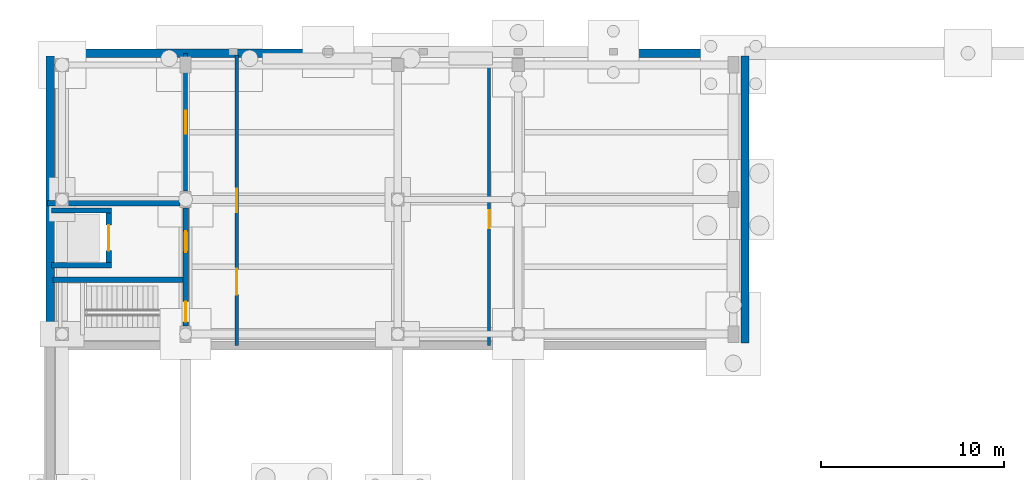
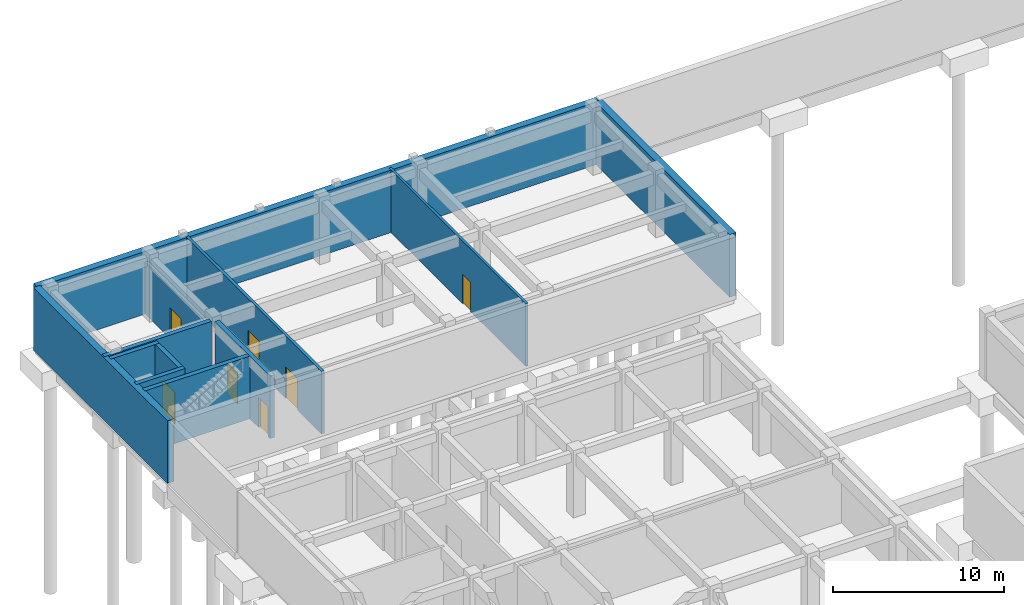
# One storey, part 22 of 35: 12 walls, 7 doors, 7 openings.
"""IFC4 building model written with IfcOpenShell, lengths in metres."""

from ifc_helpers import new_model, si_unit, direction, frame, frame_2d, origin, place, context, subcontext, project, spatial, rectangle, extrude, material, layer, layer_set, type_object, element, fill, save


model = new_model("IFC4")

# Units and contexts
model_context = context("Model", 3, precision=1e-05, world=origin(), true_north=direction((0.0, 1.0)))
body_context = subcontext(model_context, "Body", "Model", "MODEL_VIEW")
ifc_project = project(units=[si_unit("LENGTHUNIT", "METRE"), si_unit("AREAUNIT", "SQUARE_METRE"), si_unit("VOLUMEUNIT", "CUBIC_METRE"), si_unit("PLANEANGLEUNIT", "RADIAN"), si_unit("MASSUNIT", "GRAM", prefix="KILO")], contexts=[model_context])

# Site, building, storey
site_placement = place(None, origin())
site = spatial("IfcSite", under=ifc_project, at=site_placement, CompositionType="ELEMENT")
building_placement = place(site_placement, origin())
building = spatial("IfcBuilding", under=site, at=building_placement, Name="Cinchona Park Media Centre", CompositionType="ELEMENT")
storey_placement = place(building_placement, frame((0.0, 0.0, -4.800048828125)))
storey = spatial("IfcBuildingStorey", under=building, at=storey_placement, Name="B1", CompositionType="ELEMENT", Elevation=-4.800048828125)

# Wall, opening, door
ifc_material_1 = material(Name="Acoustic Double-Stud Gypsum Partition", Category="gypsum")
ifc_layer_1 = layer(ifc_material_1, 0.2099609375)
ifc_layer_set_1 = layer_set([ifc_layer_1], Name="Acoustic Double-Stud Gypsum Partition")
wall_type_1 = type_object("IfcWallType", Name="WALL-W-AC210", PredefinedType="PARTITIONING", material=ifc_layer_set_1)
wall_1_placement = place(storey_placement, frame((15.39990234375, 110.451904296875, 0.0), z_axis=(0.0, 0.0, 1.0), x_axis=(0.0, 1.0, 0.0)))
wall_1 = element("IfcWall", 1, at=wall_1_placement, inside=storey, type_object=wall_type_1, Name="Interior Wall W-AC210 B1", PredefinedType="PARTITIONING", context=body_context, shape_type="SweptSolid", body=[
    extrude(rectangle(XDim=7.548095703125, YDim=0.2099609375, at=frame_2d((3.77392578125, 0.0))), origin(), (0.0, 0.0, 1.0), 3.72509765625),
])
opening_1_placement = place(wall_1_placement, frame((3.14404296875, 0.0, 0.0)))
opening_1 = element("IfcOpeningElement", 2, at=opening_1_placement, cuts=wall_1, Name="Opening D151", PredefinedType="OPENING", context=body_context, shape_type="SweptSolid", body=[
    extrude(rectangle(XDim=1.260009765625, YDim=2.199951171875, at=frame_2d((0.6298828125, 1.10009765625))), frame((0.0, 0.114990234375, 0.0), z_axis=(0.0, -1.0, 0.0), x_axis=(1.0, 0.0, 0.0)), (0.0, 0.0, 1.0), 0.22998046875),
])
ifc_material_2 = material(Name="Fire-Rated Acoustic Timber-Steel Door", Category="steel")
door_type_1 = type_object("IfcDoorType", Name="DOOR-DT11", OperationType="NOTDEFINED", PredefinedType="DOOR", material=ifc_material_2)
door_1_placement = place(opening_1_placement, origin())
door_1 = element("IfcDoor", 3, at=door_1_placement, inside=storey, type_object=door_type_1, Name="Interior Door D151", OperationType="SINGLE_SWING_LEFT", OverallHeight=2.199951171875, OverallWidth=1.260009765625, PredefinedType="DOOR", context=body_context, shape_type="SweptSolid", body=[
    extrude(rectangle(XDim=1.260009765625, YDim=2.199951171875, at=frame_2d((0.6298828125, 1.10009765625))), frame((0.0, 0.02490234375, 0.0), z_axis=(0.0, -1.0, 0.0), x_axis=(1.0, 0.0, 0.0)), (0.0, 0.0, 1.0), 0.050048828125),
])
fill(opening_1, door_1)

# Wall
ifc_material_3 = material(Name="Concrete C40/50", Category="concrete")
ifc_layer_2 = layer(ifc_material_3, 0.300048828125)
ifc_layer_set_2 = layer_set([ifc_layer_2], Name="Concrete C40/50")
wall_type_2 = type_object("IfcWallType", Name="WALL-W-CR300", PredefinedType="SHEAR", material=ifc_layer_set_2)
wall_2_placement = place(storey_placement, frame((7.85009765625, 109.800048828125, 0.0), z_axis=(0.0, 0.0, 1.0), x_axis=(1.0, 0.0, 0.0)))
element("IfcWall", 4, at=wall_2_placement, inside=storey, type_object=wall_type_2, Name="Core Shear Wall W-CR300 B1", PredefinedType="SHEAR", context=body_context, shape_type="SweptSolid", body=[
    extrude(rectangle(XDim=7.247802734375, YDim=0.300048828125, at=frame_2d((3.6240234375, 0.0))), origin(), (0.0, 0.0, 1.0), 4.47509765625),
])

# Wall, openings, doors
wall_3_placement = place(storey_placement, frame((15.39990234375, 103.092041015625, 0.0), z_axis=(0.0, 0.0, 1.0), x_axis=(0.0, 1.0, 0.0)))
wall_3 = element("IfcWall", 5, at=wall_3_placement, inside=storey, type_object=wall_type_2, Name="Core Shear Wall W-CR300 B1", PredefinedType="SHEAR", context=body_context, shape_type="SweptSolid", body=[
    extrude(rectangle(XDim=6.4560546875, YDim=0.300048828125, at=frame_2d((3.22802734375, 0.0))), origin(), (0.0, 0.0, 1.0), 4.47509765625),
])
opening_2_placement = place(wall_3_placement, frame((0.219970703125, 0.0, 0.0)))
opening_2 = element("IfcOpeningElement", 6, at=opening_2_placement, cuts=wall_3, Name="Opening D034", PredefinedType="OPENING", context=body_context, shape_type="SweptSolid", body=[
    extrude(rectangle(XDim=1.10009765625, YDim=2.14990234375, at=frame_2d((0.550048828125, 1.074951171875))), frame((0.0, 0.159912109375, 0.0), z_axis=(0.0, -1.0, 0.0), x_axis=(1.0, 0.0, 0.0)), (0.0, 0.0, 1.0), 0.320068359375),
])
opening_3_placement = place(wall_3_placement, frame((4.032958984375, 0.0, 0.0)))
opening_3 = element("IfcOpeningElement", 7, at=opening_3_placement, cuts=wall_3, Name="Opening D035", PredefinedType="OPENING", context=body_context, shape_type="SweptSolid", body=[
    extrude(rectangle(XDim=1.14990234375, YDim=2.199951171875, at=frame_2d((0.574951171875, 1.10009765625))), frame((0.0, 0.159912109375, 0.0), z_axis=(0.0, -1.0, 0.0), x_axis=(1.0, 0.0, 0.0)), (0.0, 0.0, 1.0), 0.320068359375),
])
ifc_material_4 = material(Name="Insulated Fire-Rated Steel Door", Category="steel")
door_type_2 = type_object("IfcDoorType", Name="DOOR-DT-FF", OperationType="NOTDEFINED", PredefinedType="DOOR", material=ifc_material_4)
door_2_placement = place(opening_3_placement, origin())
door_2 = element("IfcDoor", 8, at=door_2_placement, inside=storey, type_object=door_type_2, Name="Interior Door D035", OperationType="SINGLE_SWING_LEFT", OverallHeight=2.199951171875, OverallWidth=1.14990234375, PredefinedType="DOOR", context=body_context, shape_type="SweptSolid", body=[
    extrude(rectangle(XDim=1.14990234375, YDim=2.199951171875, at=frame_2d((0.574951171875, 1.10009765625))), frame((0.0, 0.02490234375, 0.0), z_axis=(0.0, -1.0, 0.0), x_axis=(1.0, 0.0, 0.0)), (0.0, 0.0, 1.0), 0.050048828125),
])
fill(opening_3, door_2)
ifc_material_5 = material(Name="Insulated Fire-Rated Steel Door", Category="steel")
door_type_3 = type_object("IfcDoorType", Name="DOOR-DT-ST", OperationType="NOTDEFINED", PredefinedType="DOOR", material=ifc_material_5)
door_3_placement = place(opening_2_placement, origin())
door_3 = element("IfcDoor", 9, at=door_3_placement, inside=storey, type_object=door_type_3, Name="Interior Door D034", OperationType="SINGLE_SWING_RIGHT", OverallHeight=2.14990234375, OverallWidth=1.10009765625, PredefinedType="DOOR", context=body_context, shape_type="SweptSolid", body=[
    extrude(rectangle(XDim=1.10009765625, YDim=2.14990234375, at=frame_2d((0.550048828125, 1.074951171875))), frame((0.0, 0.02490234375, 0.0), z_axis=(0.0, -1.0, 0.0), x_axis=(1.0, 0.0, 0.0)), (0.0, 0.0, 1.0), 0.050048828125),
])
fill(opening_2, door_3)

# Wall
wall_4_placement = place(storey_placement, frame((8.14990234375, 105.60009765625, 0.0), z_axis=(0.0, 0.0, 1.0), x_axis=(1.0, 0.0, 0.0)))
element("IfcWall", 10, at=wall_4_placement, inside=storey, type_object=wall_type_2, Name="Core Shear Wall W-CR300 B1", PredefinedType="SHEAR", context=body_context, shape_type="SweptSolid", body=[
    extrude(rectangle(XDim=7.10009765625, YDim=0.300048828125, at=frame_2d((3.550048828125, 0.0))), origin(), (0.0, 0.0, 1.0), 4.47509765625),
])

# Wall, opening, door
ifc_material_6 = material(Name="Fire-Rated Gypsum Stud Partition", Category="gypsum")
ifc_layer_3 = layer(ifc_material_6, 0.1650390625)
ifc_layer_set_3 = layer_set([ifc_layer_3], Name="Fire-Rated Gypsum Stud Partition")
wall_type_3 = type_object("IfcWallType", Name="WALL-W-PT165", PredefinedType="PARTITIONING", material=ifc_layer_set_3)
wall_5_placement = place(storey_placement, frame((32.0, 118.0, 0.0), z_axis=(0.0, 0.0, 1.0), x_axis=(0.0, -1.0, 0.0)))
wall_5 = element("IfcWall", 11, at=wall_5_placement, inside=storey, type_object=wall_type_3, Name="Interior Wall W-PT165 B1", PredefinedType="PARTITIONING", context=body_context, shape_type="SweptSolid", body=[
    extrude(rectangle(XDim=16.0, YDim=0.1650390625, at=frame_2d((8.0, 0.0))), origin(), (0.0, 0.0, 1.0), 4.47509765625),
])
opening_4_placement = place(wall_5_placement, frame((8.580078125, 0.0, 0.0)))
opening_4 = element("IfcOpeningElement", 12, at=opening_4_placement, cuts=wall_5, Name="Opening D180", PredefinedType="OPENING", context=body_context, shape_type="SweptSolid", body=[
    extrude(rectangle(XDim=0.97998046875, YDim=2.10009765625, at=frame_2d((0.489990234375, 1.050048828125))), frame((0.0, 0.092529296875, 0.0), z_axis=(0.0, -1.0, 0.0), x_axis=(1.0, 0.0, 0.0)), (0.0, 0.0, 1.0), 0.18505859375),
])
ifc_material_7 = material(Name="Fire-Rated Acoustic Timber-Steel Door", Category="steel")
door_type_4 = type_object("IfcDoorType", Name="DOOR-DT03", OperationType="NOTDEFINED", PredefinedType="DOOR", material=ifc_material_7)
door_4_placement = place(opening_4_placement, origin())
door_4 = element("IfcDoor", 13, at=door_4_placement, inside=storey, type_object=door_type_4, Name="Interior Door D180", OperationType="SINGLE_SWING_RIGHT", OverallHeight=2.10009765625, OverallWidth=0.97998046875, PredefinedType="DOOR", context=body_context, shape_type="SweptSolid", body=[
    extrude(rectangle(XDim=0.97998046875, YDim=2.10009765625, at=frame_2d((0.489990234375, 1.050048828125))), frame((0.0, 0.02490234375, 0.0), z_axis=(0.0, -1.0, 0.0), x_axis=(1.0, 0.0, 0.0)), (0.0, 0.0, 1.0), 0.050048828125),
])
fill(opening_4, door_4)

# Wall, openings, doors
ifc_material_8 = material(Name="Fire-Rated Gypsum Stud Partition", Category="gypsum")
ifc_layer_4 = layer(ifc_material_8, 0.18994140625)
ifc_layer_set_4 = layer_set([ifc_layer_4], Name="Fire-Rated Gypsum Stud Partition")
wall_type_4 = type_object("IfcWallType", Name="WALL-W-PT190", PredefinedType="PARTITIONING", material=ifc_layer_set_4)
wall_6_placement = place(storey_placement, frame((18.199951171875, 117.903076171875, 0.0), z_axis=(0.0, 0.0, 1.0), x_axis=(0.0, -1.0, 0.0)))
wall_6 = element("IfcWall", 14, at=wall_6_placement, inside=storey, type_object=wall_type_4, Name="Interior Wall W-PT190 B1", PredefinedType="PARTITIONING", context=body_context, shape_type="SweptSolid", body=[
    extrude(rectangle(XDim=15.903076171875, YDim=0.18994140625, at=frame_2d((7.95166015625, 0.0))), origin(), (0.0, 0.0, 1.0), 4.47509765625),
])
opening_5_placement = place(wall_6_placement, frame((7.302001953125, 0.0, 0.0)))
opening_5 = element("IfcOpeningElement", 15, at=opening_5_placement, cuts=wall_6, Name="Opening D152", PredefinedType="OPENING", context=body_context, shape_type="SweptSolid", body=[
    extrude(rectangle(XDim=1.300048828125, YDim=2.199951171875, at=frame_2d((0.64990234375, 1.10009765625))), frame((0.0, 0.10498046875, 0.0), z_axis=(0.0, -1.0, 0.0), x_axis=(1.0, 0.0, 0.0)), (0.0, 0.0, 1.0), 0.2099609375),
])
opening_6_placement = place(wall_6_placement, frame((11.7041015625, 0.0, 0.0)))
opening_6 = element("IfcOpeningElement", 16, at=opening_6_placement, cuts=wall_6, Name="Opening D153", PredefinedType="OPENING", context=body_context, shape_type="SweptSolid", body=[
    extrude(rectangle(XDim=1.39990234375, YDim=2.25, at=frame_2d((0.699951171875, 1.125))), frame((0.0, 0.10498046875, 0.0), z_axis=(0.0, -1.0, 0.0), x_axis=(1.0, 0.0, 0.0)), (0.0, 0.0, 1.0), 0.2099609375),
])
ifc_material_9 = material(Name="Acoustic Double-Seal Steel Door", Category="steel")
door_type_5 = type_object("IfcDoorType", Name="DOOR-DT-AC", OperationType="NOTDEFINED", PredefinedType="DOOR", material=ifc_material_9)
door_5_placement = place(opening_6_placement, origin())
door_5 = element("IfcDoor", 17, at=door_5_placement, inside=storey, type_object=door_type_5, Name="Interior Door D153", OperationType="SINGLE_SWING_LEFT", OverallHeight=2.25, OverallWidth=1.39990234375, PredefinedType="DOOR", context=body_context, shape_type="SweptSolid", body=[
    extrude(rectangle(XDim=1.39990234375, YDim=2.25, at=frame_2d((0.699951171875, 1.125))), frame((0.0, 0.02490234375, 0.0), z_axis=(0.0, -1.0, 0.0), x_axis=(1.0, 0.0, 0.0)), (0.0, 0.0, 1.0), 0.050048828125),
])
fill(opening_6, door_5)
ifc_material_10 = material(Name="Fire-Rated Acoustic Timber-Steel Door", Category="steel")
door_type_6 = type_object("IfcDoorType", Name="DOOR-DT12", OperationType="NOTDEFINED", PredefinedType="DOOR", material=ifc_material_10)
door_6_placement = place(opening_5_placement, origin())
door_6 = element("IfcDoor", 18, at=door_6_placement, inside=storey, type_object=door_type_6, Name="Interior Door D152", OperationType="SINGLE_SWING_RIGHT", OverallHeight=2.199951171875, OverallWidth=1.300048828125, PredefinedType="DOOR", context=body_context, shape_type="SweptSolid", body=[
    extrude(rectangle(XDim=1.300048828125, YDim=2.199951171875, at=frame_2d((0.64990234375, 1.10009765625))), frame((0.0, 0.02490234375, 0.0), z_axis=(0.0, -1.0, 0.0), x_axis=(1.0, 0.0, 0.0)), (0.0, 0.0, 1.0), 0.050048828125),
])
fill(opening_5, door_6)

# Walls
ifc_material_11 = material(Name="Concrete C40/50", Category="concrete")
ifc_layer_5 = layer(ifc_material_11, 0.449951171875)
ifc_layer_set_5 = layer_set([ifc_layer_5], Name="Concrete C40/50")
wall_type_5 = type_object("IfcWallType", Name="WALL-W-RT02", PredefinedType="USERDEFINED", material=ifc_layer_set_5)
wall_7_placement = place(storey_placement, frame((8.0, 118.0, 0.0), z_axis=(0.0, 0.0, 1.0), x_axis=(1.0, 0.0, 0.0)))
element("IfcWall", 19, at=wall_7_placement, inside=storey, type_object=wall_type_5, Name="Basement Retaining Wall W-RT02", ObjectType="RETAININGWALL", PredefinedType="USERDEFINED", context=body_context, shape_type="SweptSolid", body=[
    extrude(rectangle(XDim=38.0, YDim=0.449951171875, at=frame_2d((19.0, 0.0))), origin(), (0.0, 0.0, 1.0), 4.47509765625),
])
for number, where, z_axis, x_axis, name in (
    (20, (46.0, 117.860107421875, 0.0), (0.0, 0.0, 1.0), (0.0, -1.0, 0.0), "Basement Retaining Wall W-RT02"),
    (21, (8.0, 102.139892578125, 0.0), (0.0, 0.0, 1.0), (0.0, 1.0, 0.0), "Basement Retaining Wall W-RT02"),
):
    element("IfcWall", number, at=place(storey_placement, frame(where, z_axis=z_axis, x_axis=x_axis)), inside=storey, type_object=wall_type_5, Name=name, ObjectType="RETAININGWALL", PredefinedType="USERDEFINED", context=body_context, shape_type="SweptSolid", body=[
        extrude(rectangle(XDim=15.72021484375, YDim=0.449951171875, at=frame_2d((7.860107421875, 0.0))), origin(), (0.0, 0.0, 1.0), 4.47509765625),
    ])
ifc_material_12 = material(Name="Concrete C40/50", Category="concrete")
ifc_layer_6 = layer(ifc_material_12, 0.2900390625)
ifc_layer_set_6 = layer_set([ifc_layer_6], Name="Concrete C40/50")
wall_type_6 = type_object("IfcWallType", Name="WALL-W-SH290", PredefinedType="SHEAR", material=ifc_layer_set_6)
for number, where, z_axis, x_axis, name in (
    (22, (8.054931640625, 106.39990234375, 0.0), (0.0, 0.0, 1.0), (1.0, 0.0, 0.0), "Core Shear Wall W-SH290 B1"),
    (23, (8.054931640625, 109.39990234375, 0.0), (0.0, 0.0, 1.0), (1.0, 0.0, 0.0), "Core Shear Wall W-SH290 B1"),
):
    element("IfcWall", number, at=place(storey_placement, frame(where, z_axis=z_axis, x_axis=x_axis)), inside=storey, type_object=wall_type_6, Name=name, PredefinedType="SHEAR", context=body_context, shape_type="SweptSolid", body=[
        extrude(rectangle(XDim=3.2900390625, YDim=0.2900390625, at=frame_2d((1.64501953125, 0.0))), origin(), (0.0, 0.0, 1.0), 4.47509765625),
    ])

# Wall, opening, door
wall_8_placement = place(storey_placement, frame((11.199951171875, 106.544921875, 0.0), z_axis=(0.0, 0.0, 1.0), x_axis=(0.0, 1.0, 0.0)))
wall_8 = element("IfcWall", 24, at=wall_8_placement, inside=storey, type_object=wall_type_6, Name="Core Shear Wall W-SH290 B1", PredefinedType="SHEAR", context=body_context, shape_type="SweptSolid", body=[
    extrude(rectangle(XDim=2.7099609375, YDim=0.2900390625, at=frame_2d((1.35498046875, 0.0))), origin(), (0.0, 0.0, 1.0), 4.47509765625),
])
opening_7_placement = place(wall_8_placement, frame((0.655029296875, 0.0, 0.0)))
opening_7 = element("IfcOpeningElement", 25, at=opening_7_placement, cuts=wall_8, Name="Opening LD04", PredefinedType="OPENING", context=body_context, shape_type="SweptSolid", body=[
    extrude(rectangle(XDim=1.39990234375, YDim=2.25, at=frame_2d((0.699951171875, 1.125))), frame((0.0, 0.155029296875, 0.0), z_axis=(0.0, -1.0, 0.0), x_axis=(1.0, 0.0, 0.0)), (0.0, 0.0, 1.0), 0.31005859375),
])
ifc_material_13 = material(Name="Stainless Steel Sliding Lift Landing Door", Category="steel")
door_type_7 = type_object("IfcDoorType", Name="DOOR-DT-LD3", OperationType="NOTDEFINED", PredefinedType="DOOR", material=ifc_material_13)
door_7_placement = place(opening_7_placement, origin())
door_7 = element("IfcDoor", 26, at=door_7_placement, inside=storey, type_object=door_type_7, Name="Lift Landing Door LD04", OperationType="SLIDING_TO_LEFT", OverallHeight=2.25, OverallWidth=1.39990234375, PredefinedType="DOOR", context=body_context, shape_type="SweptSolid", body=[
    extrude(rectangle(XDim=1.39990234375, YDim=2.25, at=frame_2d((0.699951171875, 1.125))), frame((0.0, 0.02490234375, 0.0), z_axis=(0.0, -1.0, 0.0), x_axis=(1.0, 0.0, 0.0)), (0.0, 0.0, 1.0), 0.050048828125),
])
fill(opening_7, door_7)

save(model, "model.ifc")
